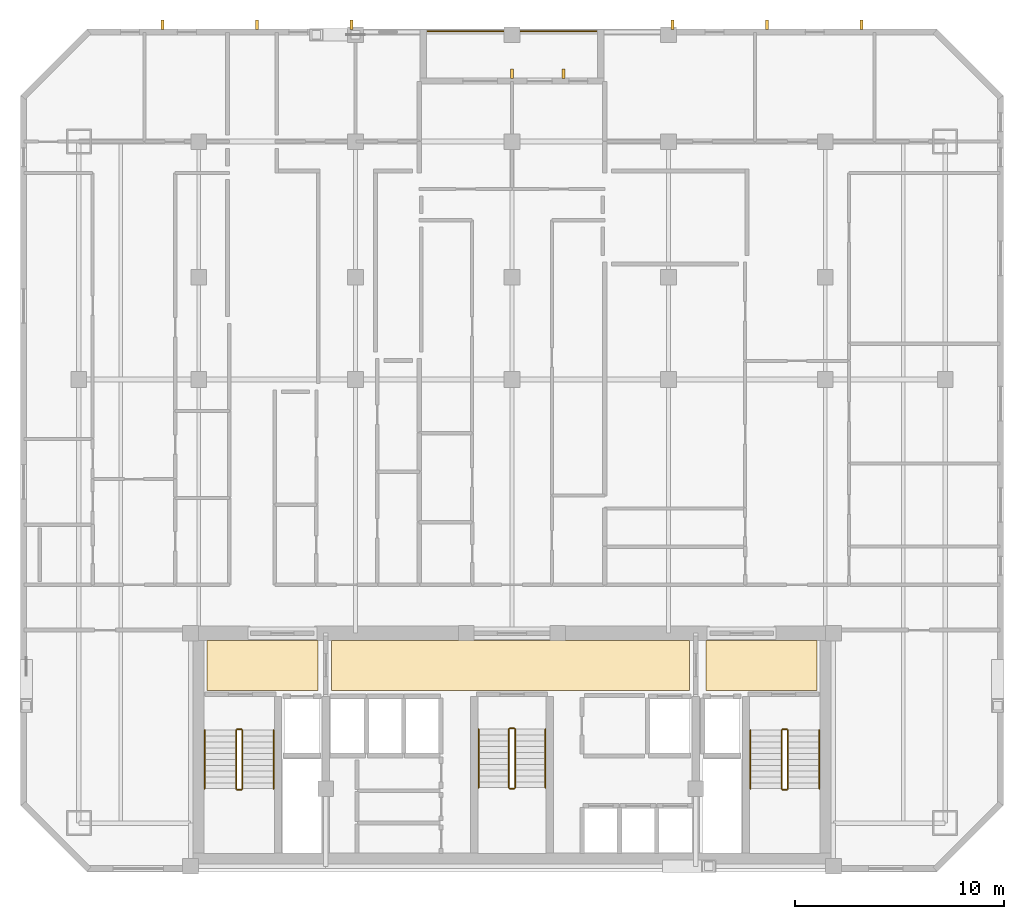
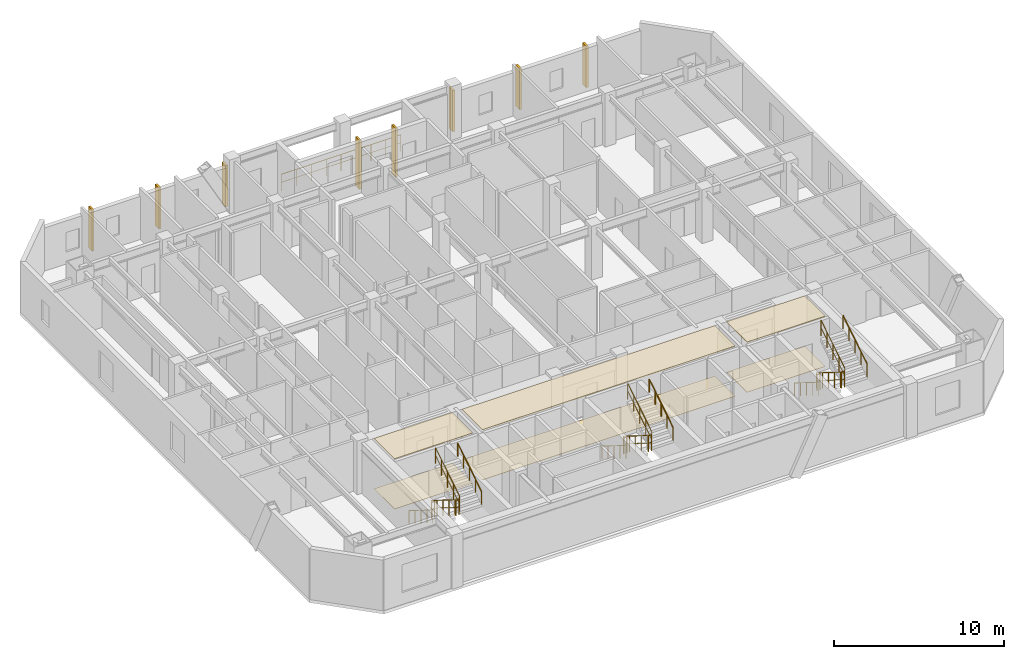
# One storey, part 9 of 9: 19 railings, 8 shading devices, 6 coverings.
"""IFC4 building model written with IfcOpenShell, lengths in metres."""

from ifc_helpers import new_model, si_unit, direction, frame, origin, origin_2d, place, context, subcontext, project, spatial, polyline, rectangle, circle, outline, extrude, material, layer, layer_set, type_object, element, save


model = new_model("IFC4")

# Units and contexts
model_context = context("Model", 3, precision=1e-05, world=origin(), true_north=direction((0.0, 1.0)))
body_context = subcontext(model_context, "Body", "Model", "MODEL_VIEW")
ifc_project = project(units=[si_unit("LENGTHUNIT", "METRE"), si_unit("AREAUNIT", "SQUARE_METRE"), si_unit("VOLUMEUNIT", "CUBIC_METRE"), si_unit("PLANEANGLEUNIT", "RADIAN"), si_unit("MASSUNIT", "GRAM", prefix="KILO")], contexts=[model_context])

# Site, building, storey
site_placement = place(None, origin())
site = spatial("IfcSite", under=ifc_project, at=site_placement, CompositionType="ELEMENT")
building_placement = place(site_placement, origin())
building = spatial("IfcBuilding", under=site, at=building_placement, Name="Ventersveld Concourse Tower", CompositionType="ELEMENT")
storey_placement = place(building_placement, frame((0.0, 0.0, 172.14990234375)))
storey = spatial("IfcBuildingStorey", under=building, at=storey_placement, Name="L42", CompositionType="ELEMENT", Elevation=172.14990234375)

# Coverings
ifc_material_1 = material(Name="Mineral-fibre acoustic ceiling tile", Category="gypsum")
ifc_layer_1 = layer(ifc_material_1, 0.0400390625)
ifc_layer_set_1 = layer_set([ifc_layer_1], Name="Mineral-fibre acoustic ceiling tile")
covering_type_1 = type_object("IfcCoveringType", Name="COV-CEIL-ACOUSTIC", PredefinedType="CEILING", material=ifc_layer_set_1)
covering_1_placement = place(storey_placement, frame((0.0, 0.0, 3.590087890625)))
element("IfcCovering", 1, at=covering_1_placement, inside=storey, type_object=covering_type_1, Name="L42 North Lift Lobby Acoustic Ceiling", PredefinedType="CEILING", context=body_context, shape_type="SweptSolid", body=[
    extrude(outline(polyline([(20.10009765625, 8.699951171875), (37.25, 8.699951171875), (37.25, 11.10009765625), (20.10009765625, 11.10009765625), (20.10009765625, 8.699951171875)])), origin(), (0.0, 0.0, 1.0), 0.0400390625),
])
covering_2_placement = place(storey_placement, frame((0.0, 0.0, 3.590087890625)))
element("IfcCovering", 2, at=covering_2_placement, inside=storey, type_object=covering_type_1, Name="L42 West Firefighting Lobby Acoustic Ceiling", PredefinedType="CEILING", context=body_context, shape_type="SweptSolid", body=[
    extrude(outline(polyline([(14.14990234375, 8.699951171875), (19.449951171875, 8.699951171875), (19.449951171875, 11.10009765625), (14.14990234375, 11.10009765625), (14.14990234375, 8.699951171875)])), origin(), (0.0, 0.0, 1.0), 0.0400390625),
])
covering_3_placement = place(storey_placement, frame((0.0, 0.0, 3.590087890625)))
element("IfcCovering", 3, at=covering_3_placement, inside=storey, type_object=covering_type_1, Name="L42 East Firefighting Lobby Acoustic Ceiling", PredefinedType="CEILING", context=body_context, shape_type="SweptSolid", body=[
    extrude(outline(polyline([(38.050048828125, 8.699951171875), (43.35009765625, 8.699951171875), (43.35009765625, 11.10009765625), (38.050048828125, 11.10009765625), (38.050048828125, 8.699951171875)])), origin(), (0.0, 0.0, 1.0), 0.0400390625),
])
ifc_material_2 = material(Name="Polished Highveld granite terrazzo", Category="masonry")
ifc_layer_2 = layer(ifc_material_2, 0.02001953125)
ifc_layer_set_2 = layer_set([ifc_layer_2], Name="Polished Highveld granite terrazzo")
covering_type_2 = type_object("IfcCoveringType", Name="COV-FLOOR-TERRAZZO", PredefinedType="FLOORING", material=ifc_layer_set_2)
covering_4_placement = place(storey_placement, origin())
element("IfcCovering", 4, at=covering_4_placement, inside=storey, type_object=covering_type_2, Name="L42 North Lift Lobby Terrazzo Flooring", PredefinedType="FLOORING", context=body_context, shape_type="SweptSolid", body=[
    extrude(outline(polyline([(20.10009765625, 8.699951171875), (37.25, 8.699951171875), (37.25, 11.10009765625), (20.10009765625, 11.10009765625), (20.10009765625, 8.699951171875)])), origin(), (0.0, 0.0, 1.0), 0.02001953125),
])
covering_5_placement = place(storey_placement, origin())
element("IfcCovering", 5, at=covering_5_placement, inside=storey, type_object=covering_type_2, Name="L42 West Firefighting Lobby Terrazzo Flooring", PredefinedType="FLOORING", context=body_context, shape_type="SweptSolid", body=[
    extrude(outline(polyline([(14.14990234375, 8.699951171875), (19.449951171875, 8.699951171875), (19.449951171875, 11.10009765625), (14.14990234375, 11.10009765625), (14.14990234375, 8.699951171875)])), origin(), (0.0, 0.0, 1.0), 0.02001953125),
])
covering_6_placement = place(storey_placement, origin())
element("IfcCovering", 6, at=covering_6_placement, inside=storey, type_object=covering_type_2, Name="L42 East Firefighting Lobby Terrazzo Flooring", PredefinedType="FLOORING", context=body_context, shape_type="SweptSolid", body=[
    extrude(outline(polyline([(38.050048828125, 8.699951171875), (43.35009765625, 8.699951171875), (43.35009765625, 11.10009765625), (38.050048828125, 11.10009765625), (38.050048828125, 8.699951171875)])), origin(), (0.0, 0.0, 1.0), 0.02001953125),
])

# Railings
ifc_material_3 = material(Name="Brushed stainless steel 316", Category="steel")
railing_type_1 = type_object("IfcRailingType", Name="GD-BAL-115", PredefinedType="GUARDRAIL", material=ifc_material_3)
railing_1_placement = place(storey_placement, frame((15.530029296875, 6.800048828125, 0.175048828125)))
element("IfcRailing", 7, at=railing_1_placement, inside=storey, type_object=railing_type_1, Name="L42 ST-01 stair guard 1", PredefinedType="GUARDRAIL", context=body_context, shape_type="SweptSolid", body=[
    extrude(circle(Radius=0.02392578125, at=origin_2d()), frame((0.0, 0.0, 1.1259765625), z_axis=(0.0, -0.848002457836, 0.529992293815), x_axis=(1.0, 0.0, 0.0)), (0.0, 0.0, 1.0), 3.302001953125),
    extrude(circle(Radius=0.01611328125, at=origin_2d()), frame((0.0, 0.0, 0.574951171875), z_axis=(0.0, -0.848002457836, 0.529992293815), x_axis=(1.0, 0.0, 0.0)), (0.0, 0.0, 1.0), 3.302001953125),
    extrude(circle(Radius=0.02099609375, at=origin_2d()), origin(), (0.0, 0.0, 1.0), 1.101806640625),
    extrude(circle(Radius=0.02099609375, at=origin_2d()), frame((0.0, -0.699951171875, 0.4375)), (0.0, 0.0, 1.0), 1.101806640625),
    extrude(circle(Radius=0.02099609375, at=origin_2d()), frame((0.0, -1.39990234375, 0.875)), (0.0, 0.0, 1.0), 1.101806640625),
    extrude(circle(Radius=0.02099609375, at=origin_2d()), frame((0.0, -2.10009765625, 1.3125)), (0.0, 0.0, 1.0), 1.101806640625),
    extrude(circle(Radius=0.02099609375, at=origin_2d()), frame((0.0, -2.800048828125, 1.75)), (0.0, 0.0, 1.0), 1.101806640625),
])
railing_2_placement = place(storey_placement, frame((15.580078125, 3.949951171875, 1.925048828125)))
element("IfcRailing", 8, at=railing_2_placement, inside=storey, type_object=railing_type_1, Name="L42 ST-01 stair guard 2", PredefinedType="GUARDRAIL", context=body_context, shape_type="SweptSolid", body=[
    extrude(circle(Radius=0.02392578125, at=origin_2d()), frame((0.0, 0.0, 1.1259765625), z_axis=(1.0, 0.0, 0.0), x_axis=(0.0, 1.0, 0.0)), (0.0, 0.0, 1.0), 0.199951171875),
    extrude(circle(Radius=0.01611328125, at=origin_2d()), frame((0.0, 0.0, 0.574951171875), z_axis=(1.0, 0.0, 0.0), x_axis=(0.0, 1.0, 0.0)), (0.0, 0.0, 1.0), 0.199951171875),
    extrude(circle(Radius=0.02099609375, at=origin_2d()), origin(), (0.0, 0.0, 1.0), 1.101806640625),
    extrude(circle(Radius=0.02099609375, at=origin_2d()), frame((0.199951171875, 0.0, 0.0)), (0.0, 0.0, 1.0), 1.101806640625),
])
railing_3_placement = place(storey_placement, frame((15.830078125, 4.0, 2.10009765625)))
element("IfcRailing", 9, at=railing_3_placement, inside=storey, type_object=railing_type_1, Name="L42 ST-01 stair guard 3", PredefinedType="GUARDRAIL", context=body_context, shape_type="SweptSolid", body=[
    extrude(circle(Radius=0.02392578125, at=origin_2d()), frame((0.0, 0.0, 1.1259765625), z_axis=(0.0, 0.848002457836, 0.529992293815), x_axis=(-1.0, 0.0, 0.0)), (0.0, 0.0, 1.0), 3.302001953125),
    extrude(circle(Radius=0.01611328125, at=origin_2d()), frame((0.0, 0.0, 0.574951171875), z_axis=(0.0, 0.848002457836, 0.529992293815), x_axis=(-1.0, 0.0, 0.0)), (0.0, 0.0, 1.0), 3.302001953125),
    extrude(circle(Radius=0.02099609375, at=origin_2d()), origin(), (0.0, 0.0, 1.0), 1.101806640625),
    extrude(circle(Radius=0.02099609375, at=origin_2d()), frame((0.0, 0.699951171875, 0.4375)), (0.0, 0.0, 1.0), 1.101806640625),
    extrude(circle(Radius=0.02099609375, at=origin_2d()), frame((0.0, 1.39990234375, 0.875)), (0.0, 0.0, 1.0), 1.101806640625),
    extrude(circle(Radius=0.02099609375, at=origin_2d()), frame((0.0, 2.10009765625, 1.3125)), (0.0, 0.0, 1.0), 1.101806640625),
    extrude(circle(Radius=0.02099609375, at=origin_2d()), frame((0.0, 2.800048828125, 1.75)), (0.0, 0.0, 1.0), 1.101806640625),
])
railing_4_placement = place(storey_placement, frame((15.580078125, 6.85009765625, 0.0)))
element("IfcRailing", 10, at=railing_4_placement, inside=storey, type_object=railing_type_1, Name="L42 ST-01 stair guard 4", PredefinedType="GUARDRAIL", context=body_context, shape_type="SweptSolid", body=[
    extrude(circle(Radius=0.02392578125, at=origin_2d()), frame((0.0, 0.0, 1.1259765625), z_axis=(1.0, 0.0, 0.0), x_axis=(0.0, 1.0, 0.0)), (0.0, 0.0, 1.0), 0.199951171875),
    extrude(circle(Radius=0.01611328125, at=origin_2d()), frame((0.0, 0.0, 0.574951171875), z_axis=(1.0, 0.0, 0.0), x_axis=(0.0, 1.0, 0.0)), (0.0, 0.0, 1.0), 0.199951171875),
    extrude(circle(Radius=0.02099609375, at=origin_2d()), origin(), (0.0, 0.0, 1.0), 1.101806640625),
    extrude(circle(Radius=0.02099609375, at=origin_2d()), frame((0.199951171875, 0.0, 0.0)), (0.0, 0.0, 1.0), 1.101806640625),
])
railing_5_placement = place(storey_placement, frame((41.669921875, 6.800048828125, 0.175048828125)))
element("IfcRailing", 11, at=railing_5_placement, inside=storey, type_object=railing_type_1, Name="L42 ST-02 stair guard 1", PredefinedType="GUARDRAIL", context=body_context, shape_type="SweptSolid", body=[
    extrude(circle(Radius=0.02392578125, at=origin_2d()), frame((0.0, 0.0, 1.1259765625), z_axis=(0.0, -0.848002457836, 0.529992293815), x_axis=(1.0, 0.0, 0.0)), (0.0, 0.0, 1.0), 3.302001953125),
    extrude(circle(Radius=0.01611328125, at=origin_2d()), frame((0.0, 0.0, 0.574951171875), z_axis=(0.0, -0.848002457836, 0.529992293815), x_axis=(1.0, 0.0, 0.0)), (0.0, 0.0, 1.0), 3.302001953125),
    extrude(circle(Radius=0.02099609375, at=origin_2d()), origin(), (0.0, 0.0, 1.0), 1.101806640625),
    extrude(circle(Radius=0.02099609375, at=origin_2d()), frame((0.0, -0.699951171875, 0.4375)), (0.0, 0.0, 1.0), 1.101806640625),
    extrude(circle(Radius=0.02099609375, at=origin_2d()), frame((0.0, -1.39990234375, 0.875)), (0.0, 0.0, 1.0), 1.101806640625),
    extrude(circle(Radius=0.02099609375, at=origin_2d()), frame((0.0, -2.10009765625, 1.3125)), (0.0, 0.0, 1.0), 1.101806640625),
    extrude(circle(Radius=0.02099609375, at=origin_2d()), frame((0.0, -2.800048828125, 1.75)), (0.0, 0.0, 1.0), 1.101806640625),
])
railing_6_placement = place(storey_placement, frame((41.719970703125, 3.949951171875, 1.925048828125)))
element("IfcRailing", 12, at=railing_6_placement, inside=storey, type_object=railing_type_1, Name="L42 ST-02 stair guard 2", PredefinedType="GUARDRAIL", context=body_context, shape_type="SweptSolid", body=[
    extrude(circle(Radius=0.02392578125, at=origin_2d()), frame((0.0, 0.0, 1.1259765625), z_axis=(1.0, 0.0, 0.0), x_axis=(0.0, 1.0, 0.0)), (0.0, 0.0, 1.0), 0.199951171875),
    extrude(circle(Radius=0.01611328125, at=origin_2d()), frame((0.0, 0.0, 0.574951171875), z_axis=(1.0, 0.0, 0.0), x_axis=(0.0, 1.0, 0.0)), (0.0, 0.0, 1.0), 0.199951171875),
    extrude(circle(Radius=0.02099609375, at=origin_2d()), origin(), (0.0, 0.0, 1.0), 1.101806640625),
    extrude(circle(Radius=0.02099609375, at=origin_2d()), frame((0.199951171875, 0.0, 0.0)), (0.0, 0.0, 1.0), 1.101806640625),
])
railing_7_placement = place(storey_placement, frame((41.969970703125, 4.0, 2.10009765625)))
element("IfcRailing", 13, at=railing_7_placement, inside=storey, type_object=railing_type_1, Name="L42 ST-02 stair guard 3", PredefinedType="GUARDRAIL", context=body_context, shape_type="SweptSolid", body=[
    extrude(circle(Radius=0.02392578125, at=origin_2d()), frame((0.0, 0.0, 1.1259765625), z_axis=(0.0, 0.848002457836, 0.529992293815), x_axis=(-1.0, 0.0, 0.0)), (0.0, 0.0, 1.0), 3.302001953125),
    extrude(circle(Radius=0.01611328125, at=origin_2d()), frame((0.0, 0.0, 0.574951171875), z_axis=(0.0, 0.848002457836, 0.529992293815), x_axis=(-1.0, 0.0, 0.0)), (0.0, 0.0, 1.0), 3.302001953125),
    extrude(circle(Radius=0.02099609375, at=origin_2d()), origin(), (0.0, 0.0, 1.0), 1.101806640625),
    extrude(circle(Radius=0.02099609375, at=origin_2d()), frame((0.0, 0.699951171875, 0.4375)), (0.0, 0.0, 1.0), 1.101806640625),
    extrude(circle(Radius=0.02099609375, at=origin_2d()), frame((0.0, 1.39990234375, 0.875)), (0.0, 0.0, 1.0), 1.101806640625),
    extrude(circle(Radius=0.02099609375, at=origin_2d()), frame((0.0, 2.10009765625, 1.3125)), (0.0, 0.0, 1.0), 1.101806640625),
    extrude(circle(Radius=0.02099609375, at=origin_2d()), frame((0.0, 2.800048828125, 1.75)), (0.0, 0.0, 1.0), 1.101806640625),
])
railing_8_placement = place(storey_placement, frame((41.719970703125, 6.85009765625, 0.0)))
element("IfcRailing", 14, at=railing_8_placement, inside=storey, type_object=railing_type_1, Name="L42 ST-02 stair guard 4", PredefinedType="GUARDRAIL", context=body_context, shape_type="SweptSolid", body=[
    extrude(circle(Radius=0.02392578125, at=origin_2d()), frame((0.0, 0.0, 1.1259765625), z_axis=(1.0, 0.0, 0.0), x_axis=(0.0, 1.0, 0.0)), (0.0, 0.0, 1.0), 0.199951171875),
    extrude(circle(Radius=0.01611328125, at=origin_2d()), frame((0.0, 0.0, 0.574951171875), z_axis=(1.0, 0.0, 0.0), x_axis=(0.0, 1.0, 0.0)), (0.0, 0.0, 1.0), 0.199951171875),
    extrude(circle(Radius=0.02099609375, at=origin_2d()), origin(), (0.0, 0.0, 1.0), 1.101806640625),
    extrude(circle(Radius=0.02099609375, at=origin_2d()), frame((0.199951171875, 0.0, 0.0)), (0.0, 0.0, 1.0), 1.101806640625),
])
railing_9_placement = place(storey_placement, frame((28.60009765625, 6.85009765625, 0.175048828125)))
element("IfcRailing", 15, at=railing_9_placement, inside=storey, type_object=railing_type_1, Name="L42 ST-03 stair guard 1", PredefinedType="GUARDRAIL", context=body_context, shape_type="SweptSolid", body=[
    extrude(circle(Radius=0.02392578125, at=origin_2d()), frame((0.0, 0.0, 1.1259765625), z_axis=(0.0, -0.848002457836, 0.529992293815), x_axis=(1.0, 0.0, 0.0)), (0.0, 0.0, 1.0), 3.302001953125),
    extrude(circle(Radius=0.01611328125, at=origin_2d()), frame((0.0, 0.0, 0.574951171875), z_axis=(0.0, -0.848002457836, 0.529992293815), x_axis=(1.0, 0.0, 0.0)), (0.0, 0.0, 1.0), 3.302001953125),
    extrude(circle(Radius=0.02099609375, at=origin_2d()), origin(), (0.0, 0.0, 1.0), 1.101806640625),
    extrude(circle(Radius=0.02099609375, at=origin_2d()), frame((0.0, -0.699951171875, 0.4375)), (0.0, 0.0, 1.0), 1.101806640625),
    extrude(circle(Radius=0.02099609375, at=origin_2d()), frame((0.0, -1.39990234375, 0.875)), (0.0, 0.0, 1.0), 1.101806640625),
    extrude(circle(Radius=0.02099609375, at=origin_2d()), frame((0.0, -2.10009765625, 1.3125)), (0.0, 0.0, 1.0), 1.101806640625),
    extrude(circle(Radius=0.02099609375, at=origin_2d()), frame((0.0, -2.800048828125, 1.75)), (0.0, 0.0, 1.0), 1.101806640625),
])
railing_10_placement = place(storey_placement, frame((28.64990234375, 4.0, 1.925048828125)))
element("IfcRailing", 16, at=railing_10_placement, inside=storey, type_object=railing_type_1, Name="L42 ST-03 stair guard 2", PredefinedType="GUARDRAIL", context=body_context, shape_type="SweptSolid", body=[
    extrude(circle(Radius=0.02392578125, at=origin_2d()), frame((0.0, 0.0, 1.1259765625), z_axis=(1.0, 0.0, 0.0), x_axis=(0.0, 1.0, 0.0)), (0.0, 0.0, 1.0), 0.2001953125),
    extrude(circle(Radius=0.01611328125, at=origin_2d()), frame((0.0, 0.0, 0.574951171875), z_axis=(1.0, 0.0, 0.0), x_axis=(0.0, 1.0, 0.0)), (0.0, 0.0, 1.0), 0.2001953125),
    extrude(circle(Radius=0.02099609375, at=origin_2d()), origin(), (0.0, 0.0, 1.0), 1.101806640625),
    extrude(circle(Radius=0.02099609375, at=origin_2d()), frame((0.2001953125, 0.0, 0.0)), (0.0, 0.0, 1.0), 1.101806640625),
])
railing_11_placement = place(storey_placement, frame((28.89990234375, 4.050048828125, 2.10009765625)))
element("IfcRailing", 17, at=railing_11_placement, inside=storey, type_object=railing_type_1, Name="L42 ST-03 stair guard 3", PredefinedType="GUARDRAIL", context=body_context, shape_type="SweptSolid", body=[
    extrude(circle(Radius=0.02392578125, at=origin_2d()), frame((0.0, 0.0, 1.1259765625), z_axis=(0.0, 0.848002457836, 0.529992293815), x_axis=(-1.0, 0.0, 0.0)), (0.0, 0.0, 1.0), 3.302001953125),
    extrude(circle(Radius=0.01611328125, at=origin_2d()), frame((0.0, 0.0, 0.574951171875), z_axis=(0.0, 0.848002457836, 0.529992293815), x_axis=(-1.0, 0.0, 0.0)), (0.0, 0.0, 1.0), 3.302001953125),
    extrude(circle(Radius=0.02099609375, at=origin_2d()), origin(), (0.0, 0.0, 1.0), 1.101806640625),
    extrude(circle(Radius=0.02099609375, at=origin_2d()), frame((0.0, 0.699951171875, 0.4375)), (0.0, 0.0, 1.0), 1.101806640625),
    extrude(circle(Radius=0.02099609375, at=origin_2d()), frame((0.0, 1.39990234375, 0.875)), (0.0, 0.0, 1.0), 1.101806640625),
    extrude(circle(Radius=0.02099609375, at=origin_2d()), frame((0.0, 2.10009765625, 1.3125)), (0.0, 0.0, 1.0), 1.101806640625),
    extrude(circle(Radius=0.02099609375, at=origin_2d()), frame((0.0, 2.800048828125, 1.75)), (0.0, 0.0, 1.0), 1.101806640625),
])
railing_12_placement = place(storey_placement, frame((28.64990234375, 6.89990234375, 0.0)))
element("IfcRailing", 18, at=railing_12_placement, inside=storey, type_object=railing_type_1, Name="L42 ST-03 stair guard 4", PredefinedType="GUARDRAIL", context=body_context, shape_type="SweptSolid", body=[
    extrude(circle(Radius=0.02392578125, at=origin_2d()), frame((0.0, 0.0, 1.1259765625), z_axis=(1.0, 0.0, 0.0), x_axis=(0.0, 1.0, 0.0)), (0.0, 0.0, 1.0), 0.2001953125),
    extrude(circle(Radius=0.01611328125, at=origin_2d()), frame((0.0, 0.0, 0.574951171875), z_axis=(1.0, 0.0, 0.0), x_axis=(0.0, 1.0, 0.0)), (0.0, 0.0, 1.0), 0.2001953125),
    extrude(circle(Radius=0.02099609375, at=origin_2d()), origin(), (0.0, 0.0, 1.0), 1.101806640625),
    extrude(circle(Radius=0.02099609375, at=origin_2d()), frame((0.2001953125, 0.0, 0.0)), (0.0, 0.0, 1.0), 1.101806640625),
])
railing_type_2 = type_object("IfcRailingType", Name="GD-TER-120", PredefinedType="GUARDRAIL", material=ifc_material_3)
railing_13_placement = place(storey_placement, frame((24.699951171875, 40.280029296875, 0.0)))
element("IfcRailing", 19, at=railing_13_placement, inside=storey, type_object=railing_type_2, Name="L42 Outdoor Terrace Guardrail NOTCH-N", PredefinedType="GUARDRAIL", context=body_context, shape_type="SweptSolid", body=[
    extrude(circle(Radius=0.02392578125, at=origin_2d()), frame((0.0, 0.0, 1.17578125), z_axis=(1.0, 0.0, 0.0), x_axis=(0.0, 1.0, 0.0)), (0.0, 0.0, 1.0), 8.10009765625),
    extrude(circle(Radius=0.01611328125, at=origin_2d()), frame((0.0, 0.0, 0.60009765625), z_axis=(1.0, 0.0, 0.0), x_axis=(0.0, 1.0, 0.0)), (0.0, 0.0, 1.0), 8.10009765625),
    extrude(circle(Radius=0.02099609375, at=origin_2d()), origin(), (0.0, 0.0, 1.0), 1.15185546875),
    extrude(circle(Radius=0.02099609375, at=origin_2d()), frame((1.012451171875, 0.0, 0.0)), (0.0, 0.0, 1.0), 1.15185546875),
    extrude(circle(Radius=0.02099609375, at=origin_2d()), frame((2.02490234375, 0.0, 0.0)), (0.0, 0.0, 1.0), 1.15185546875),
    extrude(circle(Radius=0.02099609375, at=origin_2d()), frame((3.03759765625, 0.0, 0.0)), (0.0, 0.0, 1.0), 1.15185546875),
    extrude(circle(Radius=0.02099609375, at=origin_2d()), frame((4.050048828125, 0.0, 0.0)), (0.0, 0.0, 1.0), 1.15185546875),
    extrude(circle(Radius=0.02099609375, at=origin_2d()), frame((5.0625, 0.0, 0.0)), (0.0, 0.0, 1.0), 1.15185546875),
    extrude(circle(Radius=0.02099609375, at=origin_2d()), frame((6.0751953125, 0.0, 0.0)), (0.0, 0.0, 1.0), 1.15185546875),
    extrude(circle(Radius=0.02099609375, at=origin_2d()), frame((7.087646484375, 0.0, 0.0)), (0.0, 0.0, 1.0), 1.15185546875),
    extrude(circle(Radius=0.02099609375, at=origin_2d()), frame((8.10009765625, 0.0, 0.0)), (0.0, 0.0, 1.0), 1.15185546875),
])
railing_type_3 = type_object("IfcRailingType", Name="HR-RMP-095", PredefinedType="HANDRAIL", material=ifc_material_3)
railing_14_placement = place(storey_placement, frame((14.030029296875, 6.800048828125, 0.175048828125)))
element("IfcRailing", 20, at=railing_14_placement, inside=storey, type_object=railing_type_3, Name="L42 ST-01 stair handrail 1", PredefinedType="HANDRAIL", context=body_context, shape_type="SweptSolid", body=[
    extrude(circle(Radius=0.02392578125, at=origin_2d()), frame((0.0, 0.0, 0.92578125), z_axis=(0.0, -0.848002457836, 0.529992293815), x_axis=(1.0, 0.0, 0.0)), (0.0, 0.0, 1.0), 3.302001953125),
    extrude(circle(Radius=0.02099609375, at=origin_2d()), origin(), (0.0, 0.0, 1.0), 0.90185546875),
    extrude(circle(Radius=0.02099609375, at=origin_2d()), frame((0.0, -0.699951171875, 0.4375)), (0.0, 0.0, 1.0), 0.90185546875),
    extrude(circle(Radius=0.02099609375, at=origin_2d()), frame((0.0, -1.39990234375, 0.875)), (0.0, 0.0, 1.0), 0.90185546875),
    extrude(circle(Radius=0.02099609375, at=origin_2d()), frame((0.0, -2.10009765625, 1.3125)), (0.0, 0.0, 1.0), 0.90185546875),
    extrude(circle(Radius=0.02099609375, at=origin_2d()), frame((0.0, -2.800048828125, 1.75)), (0.0, 0.0, 1.0), 0.90185546875),
])
railing_15_placement = place(storey_placement, frame((17.330078125, 4.0, 2.10009765625)))
element("IfcRailing", 21, at=railing_15_placement, inside=storey, type_object=railing_type_3, Name="L42 ST-01 stair handrail 2", PredefinedType="HANDRAIL", context=body_context, shape_type="SweptSolid", body=[
    extrude(circle(Radius=0.02392578125, at=origin_2d()), frame((0.0, 0.0, 0.92578125), z_axis=(0.0, 0.848002457836, 0.529992293815), x_axis=(-1.0, 0.0, 0.0)), (0.0, 0.0, 1.0), 3.302001953125),
    extrude(circle(Radius=0.02099609375, at=origin_2d()), origin(), (0.0, 0.0, 1.0), 0.90185546875),
    extrude(circle(Radius=0.02099609375, at=origin_2d()), frame((0.0, 0.699951171875, 0.4375)), (0.0, 0.0, 1.0), 0.90185546875),
    extrude(circle(Radius=0.02099609375, at=origin_2d()), frame((0.0, 1.39990234375, 0.875)), (0.0, 0.0, 1.0), 0.90185546875),
    extrude(circle(Radius=0.02099609375, at=origin_2d()), frame((0.0, 2.10009765625, 1.3125)), (0.0, 0.0, 1.0), 0.90185546875),
    extrude(circle(Radius=0.02099609375, at=origin_2d()), frame((0.0, 2.800048828125, 1.75)), (0.0, 0.0, 1.0), 0.90185546875),
])
railing_16_placement = place(storey_placement, frame((40.169921875, 6.800048828125, 0.175048828125)))
element("IfcRailing", 22, at=railing_16_placement, inside=storey, type_object=railing_type_3, Name="L42 ST-02 stair handrail 1", PredefinedType="HANDRAIL", context=body_context, shape_type="SweptSolid", body=[
    extrude(circle(Radius=0.02392578125, at=origin_2d()), frame((0.0, 0.0, 0.92578125), z_axis=(0.0, -0.848002457836, 0.529992293815), x_axis=(1.0, 0.0, 0.0)), (0.0, 0.0, 1.0), 3.302001953125),
    extrude(circle(Radius=0.02099609375, at=origin_2d()), origin(), (0.0, 0.0, 1.0), 0.90185546875),
    extrude(circle(Radius=0.02099609375, at=origin_2d()), frame((0.0, -0.699951171875, 0.4375)), (0.0, 0.0, 1.0), 0.90185546875),
    extrude(circle(Radius=0.02099609375, at=origin_2d()), frame((0.0, -1.39990234375, 0.875)), (0.0, 0.0, 1.0), 0.90185546875),
    extrude(circle(Radius=0.02099609375, at=origin_2d()), frame((0.0, -2.10009765625, 1.3125)), (0.0, 0.0, 1.0), 0.90185546875),
    extrude(circle(Radius=0.02099609375, at=origin_2d()), frame((0.0, -2.800048828125, 1.75)), (0.0, 0.0, 1.0), 0.90185546875),
])
railing_17_placement = place(storey_placement, frame((43.469970703125, 4.0, 2.10009765625)))
element("IfcRailing", 23, at=railing_17_placement, inside=storey, type_object=railing_type_3, Name="L42 ST-02 stair handrail 2", PredefinedType="HANDRAIL", context=body_context, shape_type="SweptSolid", body=[
    extrude(circle(Radius=0.02392578125, at=origin_2d()), frame((0.0, 0.0, 0.92578125), z_axis=(0.0, 0.848002457836, 0.529992293815), x_axis=(-1.0, 0.0, 0.0)), (0.0, 0.0, 1.0), 3.302001953125),
    extrude(circle(Radius=0.02099609375, at=origin_2d()), origin(), (0.0, 0.0, 1.0), 0.90185546875),
    extrude(circle(Radius=0.02099609375, at=origin_2d()), frame((0.0, 0.699951171875, 0.4375)), (0.0, 0.0, 1.0), 0.90185546875),
    extrude(circle(Radius=0.02099609375, at=origin_2d()), frame((0.0, 1.39990234375, 0.875)), (0.0, 0.0, 1.0), 0.90185546875),
    extrude(circle(Radius=0.02099609375, at=origin_2d()), frame((0.0, 2.10009765625, 1.3125)), (0.0, 0.0, 1.0), 0.90185546875),
    extrude(circle(Radius=0.02099609375, at=origin_2d()), frame((0.0, 2.800048828125, 1.75)), (0.0, 0.0, 1.0), 0.90185546875),
])
railing_18_placement = place(storey_placement, frame((27.14990234375, 6.85009765625, 0.175048828125)))
element("IfcRailing", 24, at=railing_18_placement, inside=storey, type_object=railing_type_3, Name="L42 ST-03 stair handrail 1", PredefinedType="HANDRAIL", context=body_context, shape_type="SweptSolid", body=[
    extrude(circle(Radius=0.02392578125, at=origin_2d()), frame((0.0, 0.0, 0.92578125), z_axis=(0.0, -0.848002457836, 0.529992293815), x_axis=(1.0, 0.0, 0.0)), (0.0, 0.0, 1.0), 3.302001953125),
    extrude(circle(Radius=0.02099609375, at=origin_2d()), origin(), (0.0, 0.0, 1.0), 0.90185546875),
    extrude(circle(Radius=0.02099609375, at=origin_2d()), frame((0.0, -0.699951171875, 0.4375)), (0.0, 0.0, 1.0), 0.90185546875),
    extrude(circle(Radius=0.02099609375, at=origin_2d()), frame((0.0, -1.39990234375, 0.875)), (0.0, 0.0, 1.0), 0.90185546875),
    extrude(circle(Radius=0.02099609375, at=origin_2d()), frame((0.0, -2.10009765625, 1.3125)), (0.0, 0.0, 1.0), 0.90185546875),
    extrude(circle(Radius=0.02099609375, at=origin_2d()), frame((0.0, -2.800048828125, 1.75)), (0.0, 0.0, 1.0), 0.90185546875),
])
railing_19_placement = place(storey_placement, frame((30.35009765625, 4.050048828125, 2.10009765625)))
element("IfcRailing", 25, at=railing_19_placement, inside=storey, type_object=railing_type_3, Name="L42 ST-03 stair handrail 2", PredefinedType="HANDRAIL", context=body_context, shape_type="SweptSolid", body=[
    extrude(circle(Radius=0.02392578125, at=origin_2d()), frame((0.0, 0.0, 0.92578125), z_axis=(0.0, 0.848002457836, 0.529992293815), x_axis=(-1.0, 0.0, 0.0)), (0.0, 0.0, 1.0), 3.302001953125),
    extrude(circle(Radius=0.02099609375, at=origin_2d()), origin(), (0.0, 0.0, 1.0), 0.90185546875),
    extrude(circle(Radius=0.02099609375, at=origin_2d()), frame((0.0, 0.699951171875, 0.4375)), (0.0, 0.0, 1.0), 0.90185546875),
    extrude(circle(Radius=0.02099609375, at=origin_2d()), frame((0.0, 1.39990234375, 0.875)), (0.0, 0.0, 1.0), 0.90185546875),
    extrude(circle(Radius=0.02099609375, at=origin_2d()), frame((0.0, 2.10009765625, 1.3125)), (0.0, 0.0, 1.0), 0.90185546875),
    extrude(circle(Radius=0.02099609375, at=origin_2d()), frame((0.0, 2.800048828125, 1.75)), (0.0, 0.0, 1.0), 0.90185546875),
])

# Shading devices
ifc_material_4 = material(Name="Precast concrete C45/55", Category="concrete")
shading_device_type = type_object("IfcShadingDeviceType", Name="SHD-FIN-450", PredefinedType="USERDEFINED", material=ifc_material_4)
for number, where, z_axis, x_axis, name in (
    (26, (45.502685546875, 40.60009765625, 0.06005859375), (0.0, 0.0, 1.0), (1.0, 0.0, 0.0), "L42 North Vertical Solar Shading FIN 1"),
    (27, (40.97509765625, 40.60009765625, 0.06005859375), (0.0, 0.0, 1.0), (1.0, 0.0, 0.0), "L42 North Vertical Solar Shading FIN 2"),
    (28, (36.447509765625, 40.60009765625, 0.06005859375), (0.0, 0.0, 1.0), (1.0, 0.0, 0.0), "L42 North Vertical Solar Shading FIN 3"),
):
    element("IfcShadingDevice", number, at=place(storey_placement, frame(where, z_axis=z_axis, x_axis=x_axis)), inside=storey, type_object=shading_device_type, Name=name, ObjectType="SUNSHADE", PredefinedType="USERDEFINED", context=body_context, shape_type="SweptSolid", body=[
        extrude(rectangle(XDim=0.139892578125, YDim=0.449951171875, at=origin_2d()), origin(), (0.0, 0.0, 1.0), 2.965576171875),
    ])
for number, where, z_axis, x_axis, name in (
    (29, (31.214111328125, 38.25, 0.06005859375), (0.0, 0.0, 1.0), (1.0, 0.0, 0.0), "L42 North Vertical Solar Shading FIN 1"),
    (30, (28.75, 38.25, 0.06005859375), (0.0, 0.0, 1.0), (1.0, 0.0, 0.0), "L42 North Vertical Solar Shading FIN 2"),
):
    element("IfcShadingDevice", number, at=place(storey_placement, frame(where, z_axis=z_axis, x_axis=x_axis)), inside=storey, type_object=shading_device_type, Name=name, ObjectType="SUNSHADE", PredefinedType="USERDEFINED", context=body_context, shape_type="SweptSolid", body=[
        extrude(rectangle(XDim=0.139892578125, YDim=0.449951171875, at=origin_2d()), origin(), (0.0, 0.0, 1.0), 3.510009765625),
    ])
for number, where, z_axis, x_axis, name in (
    (31, (21.052490234375, 40.60009765625, 0.06005859375), (0.0, 0.0, 1.0), (1.0, 0.0, 0.0), "L42 North Vertical Solar Shading FIN 1"),
    (32, (16.52490234375, 40.60009765625, 0.06005859375), (0.0, 0.0, 1.0), (1.0, 0.0, 0.0), "L42 North Vertical Solar Shading FIN 2"),
    (33, (11.997314453125, 40.60009765625, 0.06005859375), (0.0, 0.0, 1.0), (1.0, 0.0, 0.0), "L42 North Vertical Solar Shading FIN 3"),
):
    element("IfcShadingDevice", number, at=place(storey_placement, frame(where, z_axis=z_axis, x_axis=x_axis)), inside=storey, type_object=shading_device_type, Name=name, ObjectType="SUNSHADE", PredefinedType="USERDEFINED", context=body_context, shape_type="SweptSolid", body=[
        extrude(rectangle(XDim=0.139892578125, YDim=0.449951171875, at=origin_2d()), origin(), (0.0, 0.0, 1.0), 2.965576171875),
    ])

save(model, "model.ifc")
